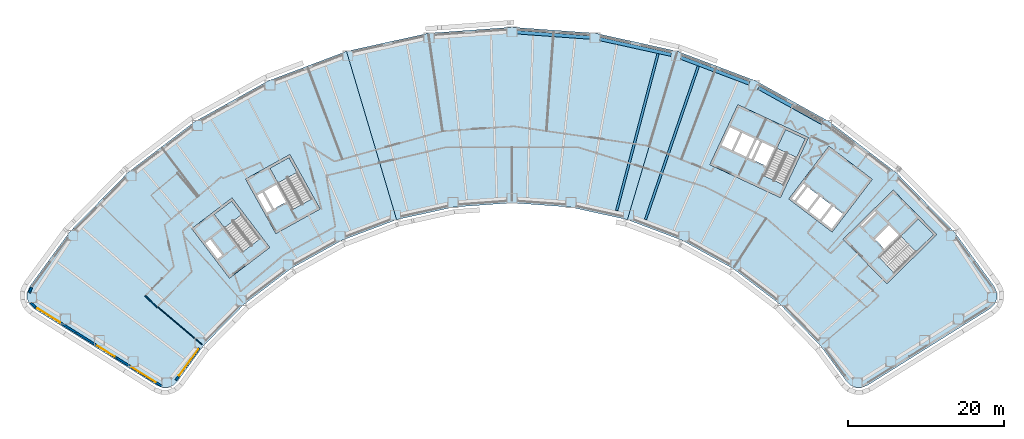
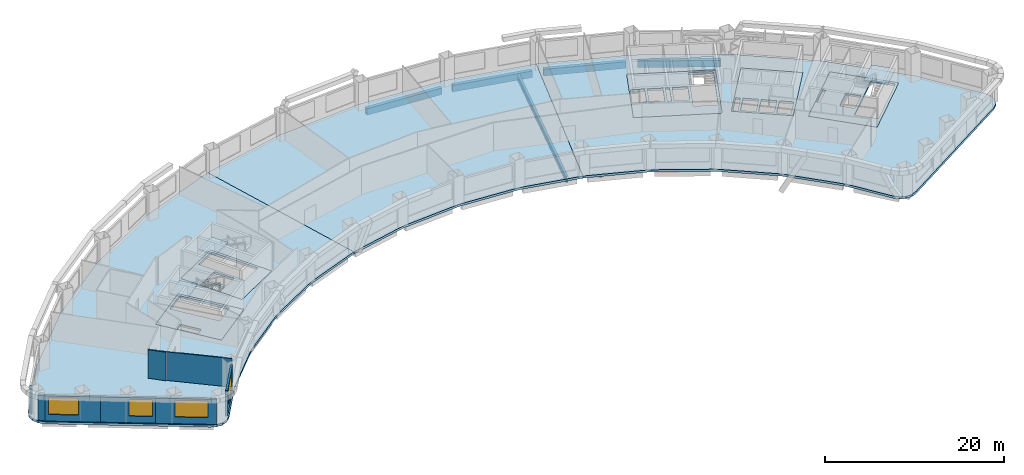
# One storey, part 2 of 11: 12 slabs, 8 walls, 6 beams, 4 windows, 4 openings, 4 elements without a shape of their own.
"""IFC4 building model written with IfcOpenShell, lengths in metres."""

from ifc_helpers import new_model, si_unit, direction, frame, frame_2d, origin, origin_2d, place, context, subcontext, project, spatial, polyline, rectangle, hollow_rectangle, i_section, outline, extrude, material, layer, layer_set, material_profile, profile_set, type_object, element, fill, aggregate, save


model = new_model("IFC4")

# Units and contexts
model_context = context("Model", 3, precision=1e-05, world=origin(), true_north=direction((0.0, 1.0)))
body_context = subcontext(model_context, "Body", "Model", "MODEL_VIEW")
ifc_project = project(units=[si_unit("LENGTHUNIT", "METRE"), si_unit("AREAUNIT", "SQUARE_METRE"), si_unit("VOLUMEUNIT", "CUBIC_METRE"), si_unit("PLANEANGLEUNIT", "RADIAN"), si_unit("MASSUNIT", "GRAM", prefix="KILO")], contexts=[model_context])

# Site, building, storey
site_placement = place(None, origin())
site = spatial("IfcSite", under=ifc_project, at=site_placement, CompositionType="ELEMENT")
building_placement = place(site_placement, origin())
building = spatial("IfcBuilding", under=site, at=building_placement, Name="Tuul Gate Civic Tower", CompositionType="ELEMENT")
storey_placement = place(building_placement, frame((0.0, 0.0, 35.699951171875)))
storey = spatial("IfcBuildingStorey", under=building, at=storey_placement, Name="Level 07", CompositionType="ELEMENT", Elevation=35.699951171875)

# Beams
ifc_material_1 = material(Name="Steel S355", Category="steel")
ifc_material_profile_1 = material_profile(ifc_material_1, i_section(OverallWidth=0.300048828125, OverallDepth=0.800048828125, WebThickness=0.013916015625, FlangeThickness=0.02490234375, at=origin_2d()), Name="PG800x300x14x25")
ifc_profile_set_1 = profile_set([ifc_material_profile_1], Name="Steel S355")
beam_type_1 = type_object("IfcBeamType", Name="STR-FLOOR BEAM-PG800x300x14x25", PredefinedType="BEAM", material=ifc_profile_set_1)
beam_1_placement = place(storey_placement, frame((17.146240234375, -10.189453125, -0.699951171875), z_axis=(0.325486974479, 0.945546524209, 0.0), x_axis=(-0.945546524209, 0.325486974479, 0.0)))
element("IfcBeam", 1, at=beam_1_placement, inside=storey, type_object=beam_type_1, Name="Floor beam", PredefinedType="BEAM", context=body_context, shape_type="SweptSolid", body=[
    extrude(i_section(OverallWidth=0.300048828125, OverallDepth=0.800048828125, WebThickness=0.013916015625, FlangeThickness=0.02490234375, at=origin_2d()), origin(), (0.0, 0.0, 1.0), 20.809326171875),
])
beam_2_placement = place(storey_placement, frame((13.438720703125, -9.04296875, -0.699951171875), z_axis=(0.255004720301, 0.96693980817, 0.0), x_axis=(-0.96693980817, 0.255004720301, 0.0)))
element("IfcBeam", 2, at=beam_2_placement, inside=storey, type_object=beam_type_1, Name="Floor beam", PredefinedType="BEAM", context=body_context, shape_type="SweptSolid", body=[
    extrude(i_section(OverallWidth=0.300048828125, OverallDepth=0.800048828125, WebThickness=0.013916015625, FlangeThickness=0.02490234375, at=origin_2d()), origin(), (0.0, 0.0, 1.0), 20.817626953125),
])
ifc_material_2 = material(Name="Steel S355", Category="steel")
ifc_material_profile_2 = material_profile(ifc_material_2, hollow_rectangle(XDim=0.449951171875, YDim=0.89990234375, WallThickness=0.02490234375, at=origin_2d()), Name="BOX900x450x25")
ifc_profile_set_2 = profile_set([ifc_material_profile_2], Name="Steel S355")
beam_type_2 = type_object("IfcBeamType", Name="STR-SPANDREL BEAM-BOX900x450x25", PredefinedType="BEAM", material=ifc_profile_set_2)
beam_3_placement = place(storey_placement, frame((39.83349609375, 2.191162109375, -0.75), z_axis=(-0.874628488078, 0.484793778676, 0.0), x_axis=(-0.484793778676, -0.874628488078, 0.0)))
element("IfcBeam", 3, at=beam_3_placement, inside=storey, type_object=beam_type_2, Name="Spandrel beam", PredefinedType="BEAM", context=body_context, shape_type="SweptSolid", body=[
    extrude(hollow_rectangle(XDim=0.449951171875, YDim=0.89990234375, WallThickness=0.02490234375, at=origin_2d()), origin(), (0.0, 0.0, 1.0), 9.37646484375),
])
beam_4_placement = place(storey_placement, frame((30.4560546875, 7.281982421875, -0.75), z_axis=(-0.935343306637, 0.353741287849, 0.0), x_axis=(-0.353741287849, -0.935343306637, 0.0)))
element("IfcBeam", 4, at=beam_4_placement, inside=storey, type_object=beam_type_2, Name="Spandrel beam", PredefinedType="BEAM", context=body_context, shape_type="SweptSolid", body=[
    extrude(hollow_rectangle(XDim=0.449951171875, YDim=0.89990234375, WallThickness=0.02490234375, at=origin_2d()), origin(), (0.0, 0.0, 1.0), 9.377197265625),
])
beam_5_placement = place(storey_placement, frame((20.442138671875, 10.968994140625, -0.75), z_axis=(-0.976572630495, 0.215188051174, 0.0), x_axis=(-0.215188051174, -0.976572630495, 0.0)))
element("IfcBeam", 5, at=beam_5_placement, inside=storey, type_object=beam_type_2, Name="Spandrel beam", PredefinedType="BEAM", context=body_context, shape_type="SweptSolid", body=[
    extrude(hollow_rectangle(XDim=0.449951171875, YDim=0.89990234375, WallThickness=0.02490234375, at=origin_2d()), origin(), (0.0, 0.0, 1.0), 9.378173828125),
])
beam_6_placement = place(storey_placement, frame((10.000732421875, 13.173828125, -0.75), z_axis=(-0.997388439542, 0.072223961869, 0.0), x_axis=(-0.072223961869, -0.997388439542, 0.0)))
element("IfcBeam", 6, at=beam_6_placement, inside=storey, type_object=beam_type_2, Name="Spandrel beam", PredefinedType="BEAM", context=body_context, shape_type="SweptSolid", body=[
    extrude(hollow_rectangle(XDim=0.449951171875, YDim=0.89990234375, WallThickness=0.02490234375, at=origin_2d()), origin(), (0.0, 0.0, 1.0), 9.376953125),
])

# Slabs
ifc_material_3 = material(Name="Concrete C40/50", Category="concrete")
ifc_layer_1 = layer(ifc_material_3, 0.300048828125)
ifc_layer_set_1 = layer_set([ifc_layer_1], Name="Concrete C40/50")
slab_type_1 = type_object("IfcSlabType", Name="Core floor slab 300", PredefinedType="FLOOR", material=ifc_layer_set_1)
slab_1_placement = place(storey_placement, frame((0.0, 0.0, -0.300048828125)))
element("IfcSlab", 7, at=slab_1_placement, inside=storey, type_object=slab_type_1, Name="FLOOR SLAB", PredefinedType="FLOOR", context=body_context, shape_type="SweptSolid", body=[
    extrude(outline(polyline([(-31.10009765625, -13.7890625), (-35.946044921875, -7.423828125), (-41.11767578125, -11.361572265625), (-36.271484375, -17.726806640625), (-31.10009765625, -13.7890625)]), holes=[polyline([(-37.19287109375, -14.783203125), (-38.737548828125, -12.75439453125), (-39.45361328125, -13.299560546875), (-37.908935546875, -15.328369140625), (-37.19287109375, -14.783203125)]), polyline([(-32.33935546875, -12.65771484375), (-34.56591796875, -14.352783203125), (-38.229736328125, -9.54052734375), (-36.003173828125, -7.845458984375), (-32.33935546875, -12.65771484375)])]), origin(), (0.0, 0.0, 1.0), 0.300048828125),
])
slab_2_placement = place(storey_placement, frame((0.0, 0.0, -0.300048828125)))
element("IfcSlab", 8, at=slab_2_placement, inside=storey, type_object=slab_type_1, Name="FLOOR SLAB", PredefinedType="FLOOR", context=body_context, shape_type="SweptSolid", body=[
    extrude(outline(polyline([(-24.638916015625, -8.846923828125), (-28.51708984375, -1.849853515625), (-34.2021484375, -5.0009765625), (-30.32421875, -11.998046875), (-24.638916015625, -8.846923828125)]), holes=[polyline([(-29.0185546875, -7.958740234375), (-30.254638671875, -5.728515625), (-31.785400390625, -6.576904296875), (-30.54931640625, -8.80712890625), (-29.0185546875, -7.958740234375)]), polyline([(-30.8115234375, -8.95263671875), (-32.047607421875, -6.72216796875), (-32.8349609375, -7.158447265625), (-31.5986328125, -9.388916015625), (-30.8115234375, -8.95263671875)]), polyline([(-25.702392578125, -7.548828125), (-28.14990234375, -8.905517578125), (-31.08203125, -3.615234375), (-28.63427734375, -2.2587890625), (-25.702392578125, -7.548828125)])]), origin(), (0.0, 0.0, 1.0), 0.300048828125),
])
slab_3_placement = place(storey_placement, frame((0.0, 0.0, -0.300048828125)))
element("IfcSlab", 9, at=slab_3_placement, inside=storey, type_object=slab_type_1, Name="FLOOR SLAB", PredefinedType="FLOOR", context=body_context, shape_type="SweptSolid", body=[
    extrude(outline(polyline([(48.117919921875, -18.43310546875), (54.545166015625, -12.1328125), (48.945068359375, -6.419921875), (42.517822265625, -12.719970703125), (48.117919921875, -18.43310546875)]), holes=[polyline([(47.808837890625, -13.974853515625), (49.6298828125, -12.18994140625), (48.40478515625, -10.940185546875), (46.583984375, -12.72509765625), (47.808837890625, -13.974853515625)]), polyline([(44.93896484375, -11.046875), (46.760009765625, -9.261962890625), (46.514892578125, -9.011962890625), (44.69384765625, -10.797119140625), (44.93896484375, -11.046875)]), polyline([(49.086181640625, -17.062744140625), (47.12744140625, -15.064208984375), (52.160888671875, -10.130126953125), (54.11962890625, -12.128662109375), (49.086181640625, -17.062744140625)])]), origin(), (0.0, 0.0, 1.0), 0.300048828125),
])
slab_4_placement = place(storey_placement, frame((0.0, 0.0, -0.300048828125)))
element("IfcSlab", 10, at=slab_4_placement, inside=storey, type_object=slab_type_1, Name="FLOOR SLAB", PredefinedType="FLOOR", context=body_context, shape_type="SweptSolid", body=[
    extrude(outline(polyline([(34.465087890625, -7.385986328125), (38.056884765625, 0.31787109375), (28.993896484375, 4.543701171875), (25.40185546875, -3.159912109375), (34.465087890625, -7.385986328125)]), holes=[polyline([(32.60888671875, -3.32080078125), (33.6865234375, -1.009765625), (32.1005859375, -0.27001953125), (31.02294921875, -2.581298828125), (32.60888671875, -3.32080078125)]), polyline([(30.0712890625, -2.137451171875), (31.14892578125, 0.173583984375), (29.562744140625, 0.9130859375), (28.4853515625, -1.39794921875), (30.0712890625, -2.137451171875)]), polyline([(30.751220703125, -2.454345703125), (31.82861328125, -0.143310546875), (31.4208984375, 0.046875), (30.34326171875, -2.264404296875), (30.751220703125, -2.454345703125)]), polyline([(28.21337890625, -1.27099609375), (29.291015625, 1.0400390625), (27.8408203125, 1.71630859375), (26.76318359375, -0.594970703125), (28.21337890625, -1.27099609375)]), polyline([(34.889892578125, -5.7626953125), (32.353759765625, -4.580078125), (35.120849609375, 1.354736328125), (37.6572265625, 0.17236328125), (34.889892578125, -5.7626953125)])]), origin(), (0.0, 0.0, 1.0), 0.300048828125),
])
ifc_material_4 = material(Name="Concrete C40/50", Category="concrete")
ifc_layer_2 = layer(ifc_material_4, 0.300048828125)
ifc_layer_set_2 = layer_set([ifc_layer_2], Name="Concrete C40/50")
slab_type_2 = type_object("IfcSlabType", Name="Core floor slab 300 non-bearing", PredefinedType="FLOOR", material=ifc_layer_set_2)
slab_5_placement = place(storey_placement, frame((0.0, 0.0, -0.300048828125)))
element("IfcSlab", 11, at=slab_5_placement, inside=storey, type_object=slab_type_2, Name="FLOOR SLAB", PredefinedType="FLOOR", context=body_context, shape_type="SweptSolid", body=[
    extrude(outline(polyline([(41.10107421875, -11.797119140625), (46.25, -5.033935546875), (40.680908203125, -0.79296875), (35.531982421875, -7.555908203125), (41.10107421875, -11.797119140625)]), holes=[polyline([(41.044189453125, -11.37646484375), (42.497802734375, -9.467041015625), (41.22509765625, -8.49755859375), (39.77099609375, -10.4072265625), (41.044189453125, -11.37646484375)]), polyline([(39.532470703125, -10.225341796875), (40.986328125, -8.31591796875), (39.593994140625, -7.255615234375), (38.14013671875, -9.165283203125), (39.532470703125, -10.225341796875)]), polyline([(37.901611328125, -8.9833984375), (39.35546875, -7.073974609375), (37.963134765625, -6.013671875), (36.50927734375, -7.923095703125), (37.901611328125, -8.9833984375)]), polyline([(36.1796875, -7.860595703125), (37.724609375, -5.831787109375), (37.286865234375, -5.49853515625), (35.7421875, -7.527587890625), (36.1796875, -7.860595703125)])]), origin(), (0.0, 0.0, 1.0), 0.300048828125),
])

# Stair, slab
ifc_material_5 = material(Name="Concrete C40/50", Category="concrete")
stair_type = type_object("IfcStairType", Name="Exit stair", PredefinedType="HALF_TURN_STAIR", material=ifc_material_5)
stair_1_placement = place(storey_placement, origin())
stair_1 = element("IfcStair", 12, at=stair_1_placement, inside=storey, type_object=stair_type, Name="Level 07 ST-1", PredefinedType="HALF_TURN_STAIR")
ifc_material_6 = material(Name="Concrete C40/50", Category="concrete")
ifc_layer_3 = layer(ifc_material_6, 0.199951171875)
ifc_layer_set_3 = layer_set([ifc_layer_3], Name="Concrete C40/50")
slab_type_3 = type_object("IfcSlabType", Name="Exit stair landing", PredefinedType="LANDING", material=ifc_layer_set_3)
slab_6_placement = place(storey_placement, frame((0.0, 0.0, 1.900146484375)))
slab_6 = element("IfcSlab", 13, at=slab_6_placement, type_object=slab_type_3, Name="ST-1 landing 1", PredefinedType="LANDING", context=body_context, shape_type="SweptSolid", body=[
    extrude(outline(polyline([(-34.699462890625, -9.554931640625), (-36.9287109375, -11.252197265625), (-38.23193359375, -9.540283203125), (-36.0029296875, -7.843017578125), (-34.699462890625, -9.554931640625)])), origin(), (0.0, 0.0, 1.0), 0.199951171875),
])
aggregate(stair_1, [slab_6])

stair_2_placement = place(storey_placement, origin())
stair_2 = element("IfcStair", 14, at=stair_2_placement, inside=storey, type_object=stair_type, Name="Level 07 ST-2", PredefinedType="HALF_TURN_STAIR")
slab_7_placement = place(storey_placement, frame((0.0, 0.0, 1.900146484375)))
slab_7 = element("IfcSlab", 15, at=slab_7_placement, type_object=slab_type_3, Name="ST-2 landing 1", PredefinedType="LANDING", context=body_context, shape_type="SweptSolid", body=[
    extrude(outline(polyline([(-27.5908203125, -4.138427734375), (-30.041015625, -5.49658203125), (-31.084228515625, -3.61474609375), (-28.6337890625, -2.256591796875), (-27.5908203125, -4.138427734375)])), origin(), (0.0, 0.0, 1.0), 0.199951171875),
])
aggregate(stair_2, [slab_7])

stair_3_placement = place(storey_placement, origin())
stair_3 = element("IfcStair", 16, at=stair_3_placement, inside=storey, type_object=stair_type, Name="Level 07 ST-3", PredefinedType="HALF_TURN_STAIR")
slab_8_placement = place(storey_placement, frame((0.0, 0.0, 1.900146484375)))
slab_8 = element("IfcSlab", 17, at=slab_8_placement, type_object=slab_type_3, Name="ST-3 landing 1", PredefinedType="LANDING", context=body_context, shape_type="SweptSolid", body=[
    extrude(outline(polyline([(51.871337890625, -14.3349609375), (49.91015625, -12.334228515625), (52.160888671875, -10.1279296875), (54.1220703125, -12.128662109375), (51.871337890625, -14.3349609375)])), origin(), (0.0, 0.0, 1.0), 0.199951171875),
])
aggregate(stair_3, [slab_8])

stair_4_placement = place(storey_placement, origin())
stair_4 = element("IfcStair", 18, at=stair_4_placement, inside=storey, type_object=stair_type, Name="Level 07 ST-4", PredefinedType="HALF_TURN_STAIR")
slab_9_placement = place(storey_placement, frame((0.0, 0.0, 1.900146484375)))
slab_9 = element("IfcSlab", 19, at=slab_9_placement, type_object=slab_type_3, Name="ST-4 landing 1", PredefinedType="LANDING", context=body_context, shape_type="SweptSolid", body=[
    extrude(outline(polyline([(36.538818359375, -2.230224609375), (33.999755859375, -1.046142578125), (35.1201171875, 1.35693359375), (37.659423828125, 0.173095703125), (36.538818359375, -2.230224609375)])), origin(), (0.0, 0.0, 1.0), 0.199951171875),
])
aggregate(stair_4, [slab_9])

# Slabs
ifc_material_7 = material(Name="Concrete C35/45", Category="concrete")
ifc_layer_4 = layer(ifc_material_7, 0.300048828125)
ifc_layer_set_4 = layer_set([ifc_layer_4], Name="Concrete C35/45")
slab_type_4 = type_object("IfcSlabType", Name="STR-FLOOR-SLAB-300", PredefinedType="FLOOR", material=ifc_layer_set_4)
slab_10_placement = place(storey_placement, frame((0.0, 0.0, -0.300048828125)))
element("IfcSlab", 20, at=slab_10_placement, inside=storey, type_object=slab_type_4, Name="Level 07/slab/W", PredefinedType="FLOOR", context=body_context, shape_type="SweptSolid", body=[
    extrude(outline(polyline([(-21.833984375, -12.87109375), (-14.81396484375, -10.216064453125), (-21.248046875, 11.406005859375), (-31.31689453125, 7.597900390625), (-40.73095703125, 2.3798828125), (-49.2958984375, -4.14111328125), (-56.8310546875, -11.827880859375), (-61.910888671875, -18.784912109375), (-62.248046875, -19.528076171875), (-62.260009765625, -20.343017578125), (-61.945068359375, -21.095947265625), (-61.35595703125, -21.659912109375), (-45.6259765625, -31.489990234375), (-44.931884765625, -31.760009765625), (-44.18701171875, -31.757080078125), (-43.4951171875, -31.48193359375), (-42.950927734375, -30.972900390625), (-39.6220703125, -26.4150390625), (-34.368896484375, -21.055908203125), (-28.39794921875, -16.509033203125), (-21.833984375, -12.87109375)]), holes=[polyline([(-31.10009765625, -13.7890625), (-36.27197265625, -17.72705078125), (-41.117919921875, -11.362060546875), (-35.946044921875, -7.424072265625), (-31.10009765625, -13.7890625)]), polyline([(-24.638916015625, -8.846923828125), (-30.323974609375, -11.998046875), (-34.201904296875, -5.0009765625), (-28.51708984375, -1.85009765625), (-24.638916015625, -8.846923828125)])]), origin(), (0.0, 0.0, 1.0), 0.300048828125),
])
slab_11_placement = place(storey_placement, frame((0.0, 0.0, -0.300048828125)))
element("IfcSlab", 21, at=slab_11_placement, inside=storey, type_object=slab_type_4, Name="Level 07/slab/M", PredefinedType="FLOOR", context=body_context, shape_type="SweptSolid", body=[
    extrude(outline(polyline([(14.81396484375, -10.216064453125), (21.248046875, 11.406005859375), (10.736083984375, 13.721923828125), (0.0, 14.5), (-10.736083984375, 13.721923828125), (-21.248046875, 11.406005859375), (-14.81396484375, -10.216064453125), (-7.485107421875, -8.60107421875), (0.0, -8.05908203125), (7.485107421875, -8.60107421875), (14.81396484375, -10.216064453125)])), origin(), (0.0, 0.0, 1.0), 0.300048828125),
])
slab_12_placement = place(storey_placement, frame((0.0, 0.0, -0.300048828125)))
element("IfcSlab", 22, at=slab_12_placement, inside=storey, type_object=slab_type_4, Name="Level 07/slab/E", PredefinedType="FLOOR", context=body_context, shape_type="SweptSolid", body=[
    extrude(outline(polyline([(44.931884765625, -31.760009765625), (45.6259765625, -31.489990234375), (61.35595703125, -21.659912109375), (61.945068359375, -21.095947265625), (62.260009765625, -20.343017578125), (62.248046875, -19.528076171875), (61.910888671875, -18.784912109375), (56.8310546875, -11.827880859375), (49.2958984375, -4.14111328125), (40.73095703125, 2.3798828125), (31.31689453125, 7.597900390625), (21.248046875, 11.406005859375), (14.81396484375, -10.216064453125), (21.833984375, -12.87109375), (28.39794921875, -16.509033203125), (34.368896484375, -21.055908203125), (39.6220703125, -26.4150390625), (42.950927734375, -30.972900390625), (43.4951171875, -31.48193359375), (44.18701171875, -31.757080078125), (44.931884765625, -31.760009765625)]), holes=[polyline([(48.117919921875, -18.43310546875), (42.51806640625, -12.719970703125), (48.945068359375, -6.419921875), (54.544921875, -12.133056640625), (48.117919921875, -18.43310546875)]), polyline([(35.531982421875, -7.555908203125), (40.680908203125, -0.79296875), (46.25, -5.033935546875), (41.10107421875, -11.797119140625), (35.531982421875, -7.555908203125)]), polyline([(25.402099609375, -3.159912109375), (28.993896484375, 4.5439453125), (38.056884765625, 0.318115234375), (34.465087890625, -7.385986328125), (25.402099609375, -3.159912109375)])]), origin(), (0.0, 0.0, 1.0), 0.300048828125),
])

# Walls
ifc_material_8 = material(Name="Gypsum board partition")
ifc_layer_5 = layer(ifc_material_8, 0.14990234375)
ifc_layer_set_5 = layer_set([ifc_layer_5], Name="Gypsum board partition")
wall_type_1 = type_object("IfcWallType", Name="Corridor wall P150", PredefinedType="PARTITIONING", material=ifc_layer_set_5)
wall_1_placement = place(storey_placement, frame((-47.08349609375, -19.9912109375, 0.0), z_axis=(0.0, 0.0, 1.0), x_axis=(0.714162857284, -0.699979580613, 0.0)))
element("IfcWall", 23, at=wall_1_placement, inside=storey, type_object=wall_type_1, Name="p053", PredefinedType="PARTITIONING", context=body_context, shape_type="SweptSolid", body=[
    extrude(rectangle(XDim=2.10009765625, YDim=0.14990234375, at=frame_2d((1.050048828125, 0.0))), origin(), (0.0, 0.0, 1.0), 3.900146484375),
])
ifc_material_9 = material(Name="Precast concrete C40/50", Category="concrete")
ifc_layer_6 = layer(ifc_material_9, 0.25)
ifc_layer_set_6 = layer_set([ifc_layer_6], Name="Precast concrete C40/50")
wall_type_2 = type_object("IfcWallType", Name="External wall", PredefinedType="STANDARD", material=ifc_layer_set_6)
wall_2_placement = place(storey_placement, frame((-61.67626953125, -18.924560546875, 0.0), z_axis=(0.0, 0.0, 1.0), x_axis=(-0.412831515496, -0.910807410934, 0.0)))
element("IfcWall", 24, at=wall_2_placement, inside=storey, type_object=wall_type_2, Name="External wall", PredefinedType="STANDARD", context=body_context, shape_type="SweptSolid", body=[
    extrude(rectangle(XDim=0.7197265625, YDim=0.25, at=frame_2d((0.35986328125, 0.0))), origin(), (0.0, 0.0, 1.0), 3.449951171875),
])
wall_3_placement = place(storey_placement, frame((-61.778076171875, -20.8798828125, 0.0), z_axis=(0.0, 0.0, 1.0), x_axis=(0.722244224905, -0.691638113172, 0.0)))
element("IfcWall", 25, at=wall_3_placement, inside=storey, type_object=wall_type_2, Name="External wall", PredefinedType="STANDARD", context=body_context, shape_type="SweptSolid", body=[
    extrude(rectangle(XDim=0.813720703125, YDim=0.25, at=frame_2d((0.40673828125, 0.0))), origin(), (0.0, 0.0, 1.0), 3.449951171875),
])

# Wall, opening, window
wall_4_placement = place(storey_placement, frame((-61.210693359375, -21.427001953125, 0.0), z_axis=(0.0, 0.0, 1.0), x_axis=(0.848042669488, -0.529927948619, 0.0)))
wall_4 = element("IfcWall", 26, at=wall_4_placement, inside=storey, type_object=wall_type_2, Name="External wall", PredefinedType="STANDARD", context=body_context, shape_type="SweptSolid", body=[
    extrude(rectangle(XDim=6.1826171875, YDim=0.25, at=frame_2d((3.09130859375, 0.0))), origin(), (0.0, 0.0, 1.0), 3.449951171875),
])
opening_1_placement = place(wall_4_placement, frame((0.340087890625, 0.0, 0.89990234375)))
opening_1 = element("IfcOpeningElement", 27, at=opening_1_placement, cuts=wall_4, Name="Opening W32", PredefinedType="OPENING", context=body_context, shape_type="SweptSolid", body=[
    extrude(rectangle(XDim=3.39990234375, YDim=2.300048828125, at=frame_2d((1.699951171875, 1.14990234375))), frame((0.0, 0.135009765625, 0.0), z_axis=(0.0, -1.0, 0.0), x_axis=(1.0, 0.0, 0.0)), (0.0, 0.0, 1.0), 0.27001953125),
])
ifc_material_10 = material(Name="Glass", Category="glass")
window_type_1 = type_object("IfcWindowType", Name="Window 3400 x 2300", PartitioningType="SINGLE_PANEL", PredefinedType="WINDOW", material=ifc_material_10)
window_1_placement = place(opening_1_placement, origin())
window_1 = element("IfcWindow", 28, at=window_1_placement, inside=storey, type_object=window_type_1, Name="Window", OverallHeight=2.300048828125, OverallWidth=3.39990234375, PartitioningType="SINGLE_PANEL", PredefinedType="WINDOW", context=body_context, shape_type="SweptSolid", body=[
    extrude(rectangle(XDim=3.39990234375, YDim=2.300048828125, at=frame_2d((1.699951171875, 1.14990234375))), frame((0.0, 0.030029296875, 0.0), z_axis=(0.0, -1.0, 0.0), x_axis=(1.0, 0.0, 0.0)), (0.0, 0.0, 1.0), 0.06005859375),
])
fill(opening_1, window_1)

wall_5_placement = place(storey_placement, frame((-55.967529296875, -24.703369140625, 0.0), z_axis=(0.0, 0.0, 1.0), x_axis=(0.848053758074, -0.529910203164, 0.0)))
wall_5 = element("IfcWall", 29, at=wall_5_placement, inside=storey, type_object=wall_type_2, Name="External wall", PredefinedType="STANDARD", context=body_context, shape_type="SweptSolid", body=[
    extrude(rectangle(XDim=6.182861328125, YDim=0.25, at=frame_2d((3.09130859375, 0.0))), origin(), (0.0, 0.0, 1.0), 3.449951171875),
])
opening_2_placement = place(wall_5_placement, frame((3.199951171875, 0.0, 0.89990234375)))
opening_2 = element("IfcOpeningElement", 30, at=opening_2_placement, cuts=wall_5, Name="Opening W37", PredefinedType="OPENING", context=body_context, shape_type="SweptSolid", body=[
    extrude(rectangle(XDim=2.64990234375, YDim=2.300048828125, at=frame_2d((1.324951171875, 1.14990234375))), frame((0.0, 0.135009765625, 0.0), z_axis=(0.0, -1.0, 0.0), x_axis=(1.0, 0.0, 0.0)), (0.0, 0.0, 1.0), 0.27001953125),
])
ifc_material_11 = material(Name="Glass", Category="glass")
window_type_2 = type_object("IfcWindowType", Name="Window 2650 x 2300", PartitioningType="SINGLE_PANEL", PredefinedType="WINDOW", material=ifc_material_11)
window_2_placement = place(opening_2_placement, origin())
window_2 = element("IfcWindow", 31, at=window_2_placement, inside=storey, type_object=window_type_2, Name="Window", OverallHeight=2.300048828125, OverallWidth=2.64990234375, PartitioningType="SINGLE_PANEL", PredefinedType="WINDOW", context=body_context, shape_type="SweptSolid", body=[
    extrude(rectangle(XDim=2.64990234375, YDim=2.300048828125, at=frame_2d((1.324951171875, 1.14990234375))), frame((0.0, 0.030029296875, 0.0), z_axis=(0.0, -1.0, 0.0), x_axis=(1.0, 0.0, 0.0)), (0.0, 0.0, 1.0), 0.06005859375),
])
fill(opening_2, window_2)

wall_6_placement = place(storey_placement, frame((-50.72412109375, -27.979736328125, 0.0), z_axis=(0.0, 0.0, 1.0), x_axis=(0.848068815002, -0.529886105707, 0.0)))
wall_6 = element("IfcWall", 32, at=wall_6_placement, inside=storey, type_object=wall_type_2, Name="External wall", PredefinedType="STANDARD", context=body_context, shape_type="SweptSolid", body=[
    extrude(rectangle(XDim=6.807373046875, YDim=0.25, at=frame_2d((3.40380859375, 0.0))), origin(), (0.0, 0.0, 1.0), 3.449951171875),
])
opening_3_placement = place(wall_6_placement, frame((2.1640625, 0.0, 0.89990234375)))
opening_3 = element("IfcOpeningElement", 33, at=opening_3_placement, cuts=wall_6, Name="Opening W21", PredefinedType="OPENING", context=body_context, shape_type="SweptSolid", body=[
    extrude(rectangle(XDim=3.699951171875, YDim=2.300048828125, at=frame_2d((1.85009765625, 1.14990234375))), frame((0.0, 0.135009765625, 0.0), z_axis=(0.0, -1.0, 0.0), x_axis=(1.0, 0.0, 0.0)), (0.0, 0.0, 1.0), 0.27001953125),
])
ifc_material_12 = material(Name="Glass", Category="glass")
window_type_3 = type_object("IfcWindowType", Name="Window W21 3700 x 2300", PartitioningType="SINGLE_PANEL", PredefinedType="WINDOW", material=ifc_material_12)
window_3_placement = place(opening_3_placement, origin())
window_3 = element("IfcWindow", 34, at=window_3_placement, inside=storey, type_object=window_type_3, Name="Window", OverallHeight=2.300048828125, OverallWidth=3.699951171875, PartitioningType="SINGLE_PANEL", PredefinedType="WINDOW", context=body_context, shape_type="SweptSolid", body=[
    extrude(rectangle(XDim=3.699951171875, YDim=2.300048828125, at=frame_2d((1.85009765625, 1.14990234375))), frame((0.0, 0.030029296875, 0.0), z_axis=(0.0, -1.0, 0.0), x_axis=(1.0, 0.0, 0.0)), (0.0, 0.0, 1.0), 0.06005859375),
])
fill(opening_3, window_3)

wall_7_placement = place(storey_placement, frame((-43.1728515625, -30.811279296875, 0.0), z_axis=(0.0, 0.0, 1.0), x_axis=(0.589712900291, 0.807612961282, 0.0)))
wall_7 = element("IfcWall", 35, at=wall_7_placement, inside=storey, type_object=wall_type_2, Name="External wall", PredefinedType="STANDARD", context=body_context, shape_type="SweptSolid", body=[
    extrude(rectangle(XDim=5.120361328125, YDim=0.25, at=frame_2d((2.56005859375, 0.0))), origin(), (0.0, 0.0, 1.0), 3.449951171875),
])
opening_4_placement = place(wall_7_placement, frame((0.75244140625, 0.0, 0.89990234375)))
opening_4 = element("IfcOpeningElement", 36, at=opening_4_placement, cuts=wall_7, Name="Opening W25", PredefinedType="OPENING", context=body_context, shape_type="SweptSolid", body=[
    extrude(rectangle(XDim=4.14990234375, YDim=2.300048828125, at=frame_2d((2.074951171875, 1.14990234375))), frame((0.0, 0.135009765625, 0.0), z_axis=(0.0, -1.0, 0.0), x_axis=(1.0, 0.0, 0.0)), (0.0, 0.0, 1.0), 0.27001953125),
])
ifc_material_13 = material(Name="Glass", Category="glass")
window_type_4 = type_object("IfcWindowType", Name="Window W25 4150 x 2300", PartitioningType="SINGLE_PANEL", PredefinedType="WINDOW", material=ifc_material_13)
window_4_placement = place(opening_4_placement, origin())
window_4 = element("IfcWindow", 37, at=window_4_placement, inside=storey, type_object=window_type_4, Name="Window", OverallHeight=2.300048828125, OverallWidth=4.14990234375, PartitioningType="SINGLE_PANEL", PredefinedType="WINDOW", context=body_context, shape_type="SweptSolid", body=[
    extrude(rectangle(XDim=4.14990234375, YDim=2.300048828125, at=frame_2d((2.074951171875, 1.14990234375))), frame((0.0, 0.030029296875, 0.0), z_axis=(0.0, -1.0, 0.0), x_axis=(1.0, 0.0, 0.0)), (0.0, 0.0, 1.0), 0.06005859375),
])
fill(opening_4, window_4)

# Wall
ifc_material_14 = material(Name="Gypsum board partition")
ifc_layer_7 = layer(ifc_material_14, 0.10009765625)
ifc_layer_set_7 = layer_set([ifc_layer_7], Name="Gypsum board partition")
wall_type_3 = type_object("IfcWallType", Name="Partition P100", PredefinedType="PARTITIONING", material=ifc_layer_set_7)
wall_8_placement = place(storey_placement, frame((-45.530517578125, -21.406982421875, 0.0), z_axis=(0.0, 0.0, 1.0), x_axis=(0.762837163952, -0.646590644298, 0.0)))
element("IfcWall", 38, at=wall_8_placement, inside=storey, type_object=wall_type_3, Name="p052", PredefinedType="PARTITIONING", context=body_context, shape_type="SweptSolid", body=[
    extrude(rectangle(XDim=7.474609375, YDim=0.10009765625, at=frame_2d((3.7373046875, 0.0))), origin(), (0.0, 0.0, 1.0), 3.900146484375),
])

save(model, "model.ifc")
